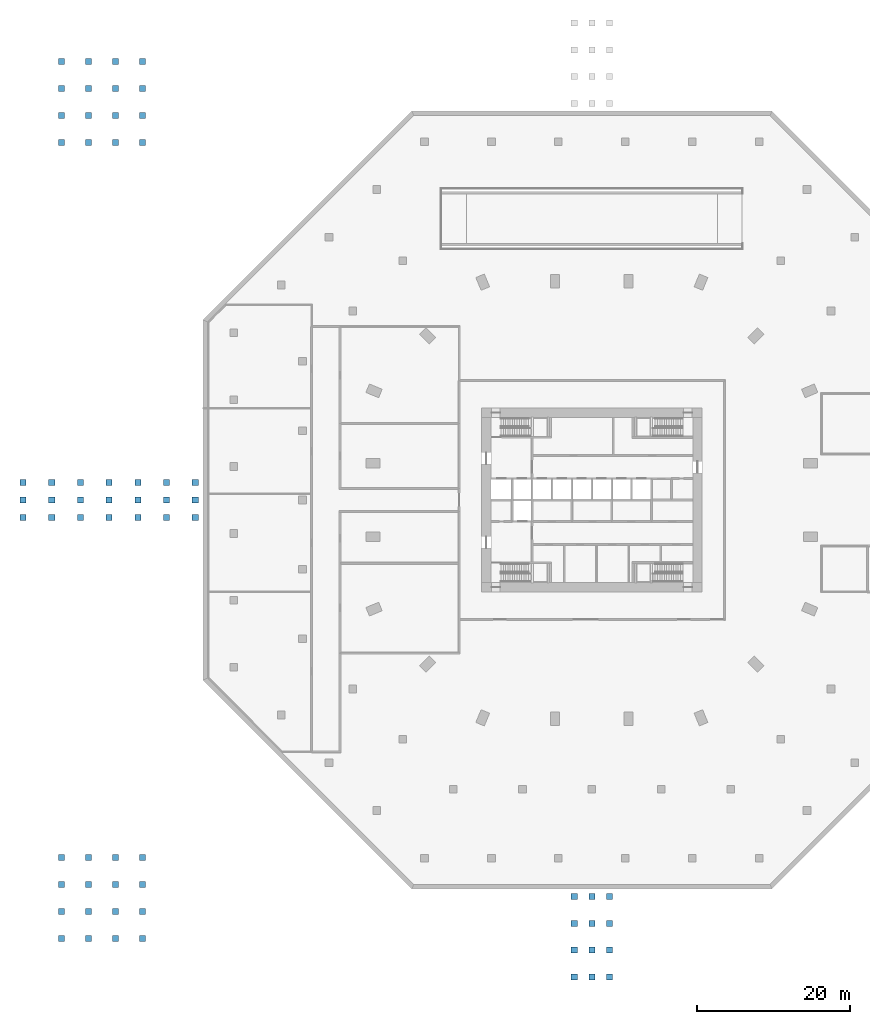
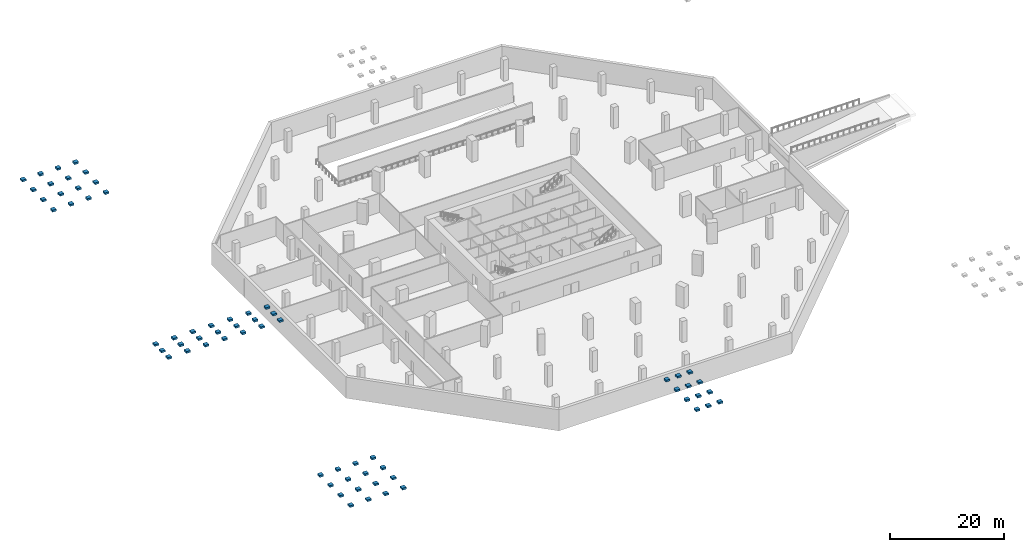
# One storey, part 1 of 11: 65 footings.
"""IFC4 building model written with IfcOpenShell, lengths in metres."""

from ifc_helpers import new_model, si_unit, direction, frame, origin, place, context, subcontext, project, spatial, polyline, outline, extrude, material, layer, layer_set, type_object, element, save


model = new_model("IFC4")

# Units and contexts
model_context = context("Model", 3, precision=1e-05, world=origin(), true_north=direction((0.0, 1.0)))
body_context = subcontext(model_context, "Body", "Model", "MODEL_VIEW")
ifc_project = project(units=[si_unit("LENGTHUNIT", "METRE"), si_unit("AREAUNIT", "SQUARE_METRE"), si_unit("VOLUMEUNIT", "CUBIC_METRE"), si_unit("PLANEANGLEUNIT", "RADIAN"), si_unit("MASSUNIT", "GRAM", prefix="KILO")], contexts=[model_context])

# Site, building, storey
site_placement = place(None, origin())
site = spatial("IfcSite", under=ifc_project, at=site_placement, CompositionType="ELEMENT")
building_placement = place(site_placement, origin())
building = spatial("IfcBuilding", under=site, at=building_placement, Name="Msitu Wima Residences", CompositionType="ELEMENT")
storey_placement = place(building_placement, frame((0.0, 0.0, -4.5)))
storey = spatial("IfcBuildingStorey", under=building, at=storey_placement, Name="B1", CompositionType="ELEMENT", Elevation=-4.5)

# Footings
ifc_material = material(Name="Concrete C40/50", Category="concrete")
ifc_layer = layer(ifc_material, 0.39990234375)
ifc_layer_set = layer_set([ifc_layer], Name="Concrete C40/50")
footing_type = type_object("IfcFootingType", Name="Paving pad footing PP1", PredefinedType="PAD_FOOTING", material=ifc_layer_set)
footing_1_placement = place(storey_placement, frame((0.0, 0.0, 3.949951171875)))
element("IfcFooting", 1, at=footing_1_placement, inside=storey, type_object=footing_type, Name="Paving pad footing S", PredefinedType="PAD_FOOTING", context=body_context, shape_type="SweptSolid", body=[
    extrude(outline(polyline([(-1.89990234375, -62.699951171875), (-1.89990234375, -61.89990234375), (-2.699951171875, -61.89990234375), (-2.699951171875, -62.699951171875), (-1.89990234375, -62.699951171875)])), origin(), (0.0, 0.0, 1.0), 0.400146484375),
])
footing_2_placement = place(storey_placement, frame((0.0, 0.0, 3.949951171875)))
element("IfcFooting", 2, at=footing_2_placement, inside=storey, type_object=footing_type, Name="Paving pad footing S", PredefinedType="PAD_FOOTING", context=body_context, shape_type="SweptSolid", body=[
    extrude(outline(polyline([(0.39990234375, -62.699951171875), (0.39990234375, -61.89990234375), (-0.39990234375, -61.89990234375), (-0.39990234375, -62.699951171875), (0.39990234375, -62.699951171875)])), origin(), (0.0, 0.0, 1.0), 0.400146484375),
])
footing_3_placement = place(storey_placement, frame((0.0, 0.0, 3.949951171875)))
element("IfcFooting", 3, at=footing_3_placement, inside=storey, type_object=footing_type, Name="Paving pad footing S", PredefinedType="PAD_FOOTING", context=body_context, shape_type="SweptSolid", body=[
    extrude(outline(polyline([(2.699951171875, -62.699951171875), (2.699951171875, -61.89990234375), (1.89990234375, -61.89990234375), (1.89990234375, -62.699951171875), (2.699951171875, -62.699951171875)])), origin(), (0.0, 0.0, 1.0), 0.400146484375),
])
footing_4_placement = place(storey_placement, frame((0.0, 0.0, 3.949951171875)))
element("IfcFooting", 4, at=footing_4_placement, inside=storey, type_object=footing_type, Name="Paving pad footing S", PredefinedType="PAD_FOOTING", context=body_context, shape_type="SweptSolid", body=[
    extrude(outline(polyline([(-1.89990234375, -59.199951171875), (-1.89990234375, -58.39990234375), (-2.699951171875, -58.39990234375), (-2.699951171875, -59.199951171875), (-1.89990234375, -59.199951171875)])), origin(), (0.0, 0.0, 1.0), 0.400146484375),
])
footing_5_placement = place(storey_placement, frame((0.0, 0.0, 3.949951171875)))
element("IfcFooting", 5, at=footing_5_placement, inside=storey, type_object=footing_type, Name="Paving pad footing S", PredefinedType="PAD_FOOTING", context=body_context, shape_type="SweptSolid", body=[
    extrude(outline(polyline([(0.39990234375, -59.199951171875), (0.39990234375, -58.39990234375), (-0.39990234375, -58.39990234375), (-0.39990234375, -59.199951171875), (0.39990234375, -59.199951171875)])), origin(), (0.0, 0.0, 1.0), 0.400146484375),
])
footing_6_placement = place(storey_placement, frame((0.0, 0.0, 3.949951171875)))
element("IfcFooting", 6, at=footing_6_placement, inside=storey, type_object=footing_type, Name="Paving pad footing S", PredefinedType="PAD_FOOTING", context=body_context, shape_type="SweptSolid", body=[
    extrude(outline(polyline([(2.699951171875, -59.199951171875), (2.699951171875, -58.39990234375), (1.89990234375, -58.39990234375), (1.89990234375, -59.199951171875), (2.699951171875, -59.199951171875)])), origin(), (0.0, 0.0, 1.0), 0.400146484375),
])
footing_7_placement = place(storey_placement, frame((0.0, 0.0, 3.949951171875)))
element("IfcFooting", 7, at=footing_7_placement, inside=storey, type_object=footing_type, Name="Paving pad footing S", PredefinedType="PAD_FOOTING", context=body_context, shape_type="SweptSolid", body=[
    extrude(outline(polyline([(-1.89990234375, -55.699951171875), (-1.89990234375, -54.89990234375), (-2.699951171875, -54.89990234375), (-2.699951171875, -55.699951171875), (-1.89990234375, -55.699951171875)])), origin(), (0.0, 0.0, 1.0), 0.400146484375),
])
footing_8_placement = place(storey_placement, frame((0.0, 0.0, 3.949951171875)))
element("IfcFooting", 8, at=footing_8_placement, inside=storey, type_object=footing_type, Name="Paving pad footing S", PredefinedType="PAD_FOOTING", context=body_context, shape_type="SweptSolid", body=[
    extrude(outline(polyline([(0.39990234375, -55.699951171875), (0.39990234375, -54.89990234375), (-0.39990234375, -54.89990234375), (-0.39990234375, -55.699951171875), (0.39990234375, -55.699951171875)])), origin(), (0.0, 0.0, 1.0), 0.400146484375),
])
footing_9_placement = place(storey_placement, frame((0.0, 0.0, 3.949951171875)))
element("IfcFooting", 9, at=footing_9_placement, inside=storey, type_object=footing_type, Name="Paving pad footing S", PredefinedType="PAD_FOOTING", context=body_context, shape_type="SweptSolid", body=[
    extrude(outline(polyline([(2.699951171875, -55.699951171875), (2.699951171875, -54.89990234375), (1.89990234375, -54.89990234375), (1.89990234375, -55.699951171875), (2.699951171875, -55.699951171875)])), origin(), (0.0, 0.0, 1.0), 0.400146484375),
])
footing_10_placement = place(storey_placement, frame((0.0, 0.0, 3.949951171875)))
element("IfcFooting", 10, at=footing_10_placement, inside=storey, type_object=footing_type, Name="Paving pad footing S", PredefinedType="PAD_FOOTING", context=body_context, shape_type="SweptSolid", body=[
    extrude(outline(polyline([(-1.89990234375, -52.199951171875), (-1.89990234375, -51.39990234375), (-2.699951171875, -51.39990234375), (-2.699951171875, -52.199951171875), (-1.89990234375, -52.199951171875)])), origin(), (0.0, 0.0, 1.0), 0.400146484375),
])
footing_11_placement = place(storey_placement, frame((0.0, 0.0, 3.949951171875)))
element("IfcFooting", 11, at=footing_11_placement, inside=storey, type_object=footing_type, Name="Paving pad footing S", PredefinedType="PAD_FOOTING", context=body_context, shape_type="SweptSolid", body=[
    extrude(outline(polyline([(0.39990234375, -52.199951171875), (0.39990234375, -51.39990234375), (-0.39990234375, -51.39990234375), (-0.39990234375, -52.199951171875), (0.39990234375, -52.199951171875)])), origin(), (0.0, 0.0, 1.0), 0.400146484375),
])
footing_12_placement = place(storey_placement, frame((0.0, 0.0, 3.949951171875)))
element("IfcFooting", 12, at=footing_12_placement, inside=storey, type_object=footing_type, Name="Paving pad footing S", PredefinedType="PAD_FOOTING", context=body_context, shape_type="SweptSolid", body=[
    extrude(outline(polyline([(2.699951171875, -52.199951171875), (2.699951171875, -51.39990234375), (1.89990234375, -51.39990234375), (1.89990234375, -52.199951171875), (2.699951171875, -52.199951171875)])), origin(), (0.0, 0.0, 1.0), 0.400146484375),
])
footing_13_placement = place(storey_placement, frame((0.0, 0.0, 3.949951171875)))
element("IfcFooting", 13, at=footing_13_placement, inside=storey, type_object=footing_type, Name="Paving pad footing W", PredefinedType="PAD_FOOTING", context=body_context, shape_type="SweptSolid", body=[
    extrude(outline(polyline([(-73.89990234375, -2.699951171875), (-73.89990234375, -1.89990234375), (-74.699951171875, -1.89990234375), (-74.699951171875, -2.699951171875), (-73.89990234375, -2.699951171875)])), origin(), (0.0, 0.0, 1.0), 0.400146484375),
])
footing_14_placement = place(storey_placement, frame((0.0, 0.0, 3.949951171875)))
element("IfcFooting", 14, at=footing_14_placement, inside=storey, type_object=footing_type, Name="Paving pad footing W", PredefinedType="PAD_FOOTING", context=body_context, shape_type="SweptSolid", body=[
    extrude(outline(polyline([(-70.14990234375, -2.699951171875), (-70.14990234375, -1.89990234375), (-70.949951171875, -1.89990234375), (-70.949951171875, -2.699951171875), (-70.14990234375, -2.699951171875)])), origin(), (0.0, 0.0, 1.0), 0.400146484375),
])
footing_15_placement = place(storey_placement, frame((0.0, 0.0, 3.949951171875)))
element("IfcFooting", 15, at=footing_15_placement, inside=storey, type_object=footing_type, Name="Paving pad footing W", PredefinedType="PAD_FOOTING", context=body_context, shape_type="SweptSolid", body=[
    extrude(outline(polyline([(-66.39990234375, -2.699951171875), (-66.39990234375, -1.89990234375), (-67.199951171875, -1.89990234375), (-67.199951171875, -2.699951171875), (-66.39990234375, -2.699951171875)])), origin(), (0.0, 0.0, 1.0), 0.400146484375),
])
footing_16_placement = place(storey_placement, frame((0.0, 0.0, 3.949951171875)))
element("IfcFooting", 16, at=footing_16_placement, inside=storey, type_object=footing_type, Name="Paving pad footing W", PredefinedType="PAD_FOOTING", context=body_context, shape_type="SweptSolid", body=[
    extrude(outline(polyline([(-62.64990234375, -2.699951171875), (-62.64990234375, -1.89990234375), (-63.449951171875, -1.89990234375), (-63.449951171875, -2.699951171875), (-62.64990234375, -2.699951171875)])), origin(), (0.0, 0.0, 1.0), 0.400146484375),
])
footing_17_placement = place(storey_placement, frame((0.0, 0.0, 3.949951171875)))
element("IfcFooting", 17, at=footing_17_placement, inside=storey, type_object=footing_type, Name="Paving pad footing W", PredefinedType="PAD_FOOTING", context=body_context, shape_type="SweptSolid", body=[
    extrude(outline(polyline([(-58.89990234375, -2.699951171875), (-58.89990234375, -1.89990234375), (-59.699951171875, -1.89990234375), (-59.699951171875, -2.699951171875), (-58.89990234375, -2.699951171875)])), origin(), (0.0, 0.0, 1.0), 0.400146484375),
])
footing_18_placement = place(storey_placement, frame((0.0, 0.0, 3.949951171875)))
element("IfcFooting", 18, at=footing_18_placement, inside=storey, type_object=footing_type, Name="Paving pad footing W", PredefinedType="PAD_FOOTING", context=body_context, shape_type="SweptSolid", body=[
    extrude(outline(polyline([(-55.14990234375, -2.699951171875), (-55.14990234375, -1.89990234375), (-55.949951171875, -1.89990234375), (-55.949951171875, -2.699951171875), (-55.14990234375, -2.699951171875)])), origin(), (0.0, 0.0, 1.0), 0.400146484375),
])
footing_19_placement = place(storey_placement, frame((0.0, 0.0, 3.949951171875)))
element("IfcFooting", 19, at=footing_19_placement, inside=storey, type_object=footing_type, Name="Paving pad footing W", PredefinedType="PAD_FOOTING", context=body_context, shape_type="SweptSolid", body=[
    extrude(outline(polyline([(-51.39990234375, -2.699951171875), (-51.39990234375, -1.89990234375), (-52.199951171875, -1.89990234375), (-52.199951171875, -2.699951171875), (-51.39990234375, -2.699951171875)])), origin(), (0.0, 0.0, 1.0), 0.400146484375),
])
footing_20_placement = place(storey_placement, frame((0.0, 0.0, 3.949951171875)))
element("IfcFooting", 20, at=footing_20_placement, inside=storey, type_object=footing_type, Name="Paving pad footing W", PredefinedType="PAD_FOOTING", context=body_context, shape_type="SweptSolid", body=[
    extrude(outline(polyline([(-73.89990234375, -0.39990234375), (-73.89990234375, 0.39990234375), (-74.699951171875, 0.39990234375), (-74.699951171875, -0.39990234375), (-73.89990234375, -0.39990234375)])), origin(), (0.0, 0.0, 1.0), 0.400146484375),
])
footing_21_placement = place(storey_placement, frame((0.0, 0.0, 3.949951171875)))
element("IfcFooting", 21, at=footing_21_placement, inside=storey, type_object=footing_type, Name="Paving pad footing W", PredefinedType="PAD_FOOTING", context=body_context, shape_type="SweptSolid", body=[
    extrude(outline(polyline([(-70.14990234375, -0.39990234375), (-70.14990234375, 0.39990234375), (-70.949951171875, 0.39990234375), (-70.949951171875, -0.39990234375), (-70.14990234375, -0.39990234375)])), origin(), (0.0, 0.0, 1.0), 0.400146484375),
])
footing_22_placement = place(storey_placement, frame((0.0, 0.0, 3.949951171875)))
element("IfcFooting", 22, at=footing_22_placement, inside=storey, type_object=footing_type, Name="Paving pad footing W", PredefinedType="PAD_FOOTING", context=body_context, shape_type="SweptSolid", body=[
    extrude(outline(polyline([(-66.39990234375, -0.39990234375), (-66.39990234375, 0.39990234375), (-67.199951171875, 0.39990234375), (-67.199951171875, -0.39990234375), (-66.39990234375, -0.39990234375)])), origin(), (0.0, 0.0, 1.0), 0.400146484375),
])
footing_23_placement = place(storey_placement, frame((0.0, 0.0, 3.949951171875)))
element("IfcFooting", 23, at=footing_23_placement, inside=storey, type_object=footing_type, Name="Paving pad footing W", PredefinedType="PAD_FOOTING", context=body_context, shape_type="SweptSolid", body=[
    extrude(outline(polyline([(-62.64990234375, -0.39990234375), (-62.64990234375, 0.39990234375), (-63.449951171875, 0.39990234375), (-63.449951171875, -0.39990234375), (-62.64990234375, -0.39990234375)])), origin(), (0.0, 0.0, 1.0), 0.400146484375),
])
footing_24_placement = place(storey_placement, frame((0.0, 0.0, 3.949951171875)))
element("IfcFooting", 24, at=footing_24_placement, inside=storey, type_object=footing_type, Name="Paving pad footing W", PredefinedType="PAD_FOOTING", context=body_context, shape_type="SweptSolid", body=[
    extrude(outline(polyline([(-58.89990234375, -0.39990234375), (-58.89990234375, 0.39990234375), (-59.699951171875, 0.39990234375), (-59.699951171875, -0.39990234375), (-58.89990234375, -0.39990234375)])), origin(), (0.0, 0.0, 1.0), 0.400146484375),
])
footing_25_placement = place(storey_placement, frame((0.0, 0.0, 3.949951171875)))
element("IfcFooting", 25, at=footing_25_placement, inside=storey, type_object=footing_type, Name="Paving pad footing W", PredefinedType="PAD_FOOTING", context=body_context, shape_type="SweptSolid", body=[
    extrude(outline(polyline([(-55.14990234375, -0.39990234375), (-55.14990234375, 0.39990234375), (-55.949951171875, 0.39990234375), (-55.949951171875, -0.39990234375), (-55.14990234375, -0.39990234375)])), origin(), (0.0, 0.0, 1.0), 0.400146484375),
])
footing_26_placement = place(storey_placement, frame((0.0, 0.0, 3.949951171875)))
element("IfcFooting", 26, at=footing_26_placement, inside=storey, type_object=footing_type, Name="Paving pad footing W", PredefinedType="PAD_FOOTING", context=body_context, shape_type="SweptSolid", body=[
    extrude(outline(polyline([(-51.39990234375, -0.39990234375), (-51.39990234375, 0.39990234375), (-52.199951171875, 0.39990234375), (-52.199951171875, -0.39990234375), (-51.39990234375, -0.39990234375)])), origin(), (0.0, 0.0, 1.0), 0.400146484375),
])
footing_27_placement = place(storey_placement, frame((0.0, 0.0, 3.949951171875)))
element("IfcFooting", 27, at=footing_27_placement, inside=storey, type_object=footing_type, Name="Paving pad footing W", PredefinedType="PAD_FOOTING", context=body_context, shape_type="SweptSolid", body=[
    extrude(outline(polyline([(-73.89990234375, 1.89990234375), (-73.89990234375, 2.699951171875), (-74.699951171875, 2.699951171875), (-74.699951171875, 1.89990234375), (-73.89990234375, 1.89990234375)])), origin(), (0.0, 0.0, 1.0), 0.400146484375),
])
footing_28_placement = place(storey_placement, frame((0.0, 0.0, 3.949951171875)))
element("IfcFooting", 28, at=footing_28_placement, inside=storey, type_object=footing_type, Name="Paving pad footing W", PredefinedType="PAD_FOOTING", context=body_context, shape_type="SweptSolid", body=[
    extrude(outline(polyline([(-70.14990234375, 1.89990234375), (-70.14990234375, 2.699951171875), (-70.949951171875, 2.699951171875), (-70.949951171875, 1.89990234375), (-70.14990234375, 1.89990234375)])), origin(), (0.0, 0.0, 1.0), 0.400146484375),
])
footing_29_placement = place(storey_placement, frame((0.0, 0.0, 3.949951171875)))
element("IfcFooting", 29, at=footing_29_placement, inside=storey, type_object=footing_type, Name="Paving pad footing W", PredefinedType="PAD_FOOTING", context=body_context, shape_type="SweptSolid", body=[
    extrude(outline(polyline([(-66.39990234375, 1.89990234375), (-66.39990234375, 2.699951171875), (-67.199951171875, 2.699951171875), (-67.199951171875, 1.89990234375), (-66.39990234375, 1.89990234375)])), origin(), (0.0, 0.0, 1.0), 0.400146484375),
])
footing_30_placement = place(storey_placement, frame((0.0, 0.0, 3.949951171875)))
element("IfcFooting", 30, at=footing_30_placement, inside=storey, type_object=footing_type, Name="Paving pad footing W", PredefinedType="PAD_FOOTING", context=body_context, shape_type="SweptSolid", body=[
    extrude(outline(polyline([(-62.64990234375, 1.89990234375), (-62.64990234375, 2.699951171875), (-63.449951171875, 2.699951171875), (-63.449951171875, 1.89990234375), (-62.64990234375, 1.89990234375)])), origin(), (0.0, 0.0, 1.0), 0.400146484375),
])
footing_31_placement = place(storey_placement, frame((0.0, 0.0, 3.949951171875)))
element("IfcFooting", 31, at=footing_31_placement, inside=storey, type_object=footing_type, Name="Paving pad footing W", PredefinedType="PAD_FOOTING", context=body_context, shape_type="SweptSolid", body=[
    extrude(outline(polyline([(-58.89990234375, 1.89990234375), (-58.89990234375, 2.699951171875), (-59.699951171875, 2.699951171875), (-59.699951171875, 1.89990234375), (-58.89990234375, 1.89990234375)])), origin(), (0.0, 0.0, 1.0), 0.400146484375),
])
footing_32_placement = place(storey_placement, frame((0.0, 0.0, 3.949951171875)))
element("IfcFooting", 32, at=footing_32_placement, inside=storey, type_object=footing_type, Name="Paving pad footing W", PredefinedType="PAD_FOOTING", context=body_context, shape_type="SweptSolid", body=[
    extrude(outline(polyline([(-55.14990234375, 1.89990234375), (-55.14990234375, 2.699951171875), (-55.949951171875, 2.699951171875), (-55.949951171875, 1.89990234375), (-55.14990234375, 1.89990234375)])), origin(), (0.0, 0.0, 1.0), 0.400146484375),
])
footing_33_placement = place(storey_placement, frame((0.0, 0.0, 3.949951171875)))
element("IfcFooting", 33, at=footing_33_placement, inside=storey, type_object=footing_type, Name="Paving pad footing W", PredefinedType="PAD_FOOTING", context=body_context, shape_type="SweptSolid", body=[
    extrude(outline(polyline([(-51.39990234375, 1.89990234375), (-51.39990234375, 2.699951171875), (-52.199951171875, 2.699951171875), (-52.199951171875, 1.89990234375), (-51.39990234375, 1.89990234375)])), origin(), (0.0, 0.0, 1.0), 0.400146484375),
])
footing_34_placement = place(storey_placement, frame((0.0, 0.0, 3.949951171875)))
element("IfcFooting", 34, at=footing_34_placement, inside=storey, type_object=footing_type, Name="Paving pad footing NW", PredefinedType="PAD_FOOTING", context=body_context, shape_type="SweptSolid", body=[
    extrude(outline(polyline([(-68.89990234375, 46.300048828125), (-68.89990234375, 47.10009765625), (-69.699951171875, 47.10009765625), (-69.699951171875, 46.300048828125), (-68.89990234375, 46.300048828125)])), origin(), (0.0, 0.0, 1.0), 0.400146484375),
])
footing_35_placement = place(storey_placement, frame((0.0, 0.0, 3.949951171875)))
element("IfcFooting", 35, at=footing_35_placement, inside=storey, type_object=footing_type, Name="Paving pad footing NW", PredefinedType="PAD_FOOTING", context=body_context, shape_type="SweptSolid", body=[
    extrude(outline(polyline([(-65.36669921875, 46.300048828125), (-65.36669921875, 47.10009765625), (-66.166748046875, 47.10009765625), (-66.166748046875, 46.300048828125), (-65.36669921875, 46.300048828125)])), origin(), (0.0, 0.0, 1.0), 0.400146484375),
])
footing_36_placement = place(storey_placement, frame((0.0, 0.0, 3.949951171875)))
element("IfcFooting", 36, at=footing_36_placement, inside=storey, type_object=footing_type, Name="Paving pad footing NW", PredefinedType="PAD_FOOTING", context=body_context, shape_type="SweptSolid", body=[
    extrude(outline(polyline([(-61.833251953125, 46.300048828125), (-61.833251953125, 47.10009765625), (-62.63330078125, 47.10009765625), (-62.63330078125, 46.300048828125), (-61.833251953125, 46.300048828125)])), origin(), (0.0, 0.0, 1.0), 0.400146484375),
])
footing_37_placement = place(storey_placement, frame((0.0, 0.0, 3.949951171875)))
element("IfcFooting", 37, at=footing_37_placement, inside=storey, type_object=footing_type, Name="Paving pad footing NW", PredefinedType="PAD_FOOTING", context=body_context, shape_type="SweptSolid", body=[
    extrude(outline(polyline([(-58.300048828125, 46.300048828125), (-58.300048828125, 47.10009765625), (-59.10009765625, 47.10009765625), (-59.10009765625, 46.300048828125), (-58.300048828125, 46.300048828125)])), origin(), (0.0, 0.0, 1.0), 0.400146484375),
])
footing_38_placement = place(storey_placement, frame((0.0, 0.0, 3.949951171875)))
element("IfcFooting", 38, at=footing_38_placement, inside=storey, type_object=footing_type, Name="Paving pad footing NW", PredefinedType="PAD_FOOTING", context=body_context, shape_type="SweptSolid", body=[
    extrude(outline(polyline([(-68.89990234375, 49.833251953125), (-68.89990234375, 50.63330078125), (-69.699951171875, 50.63330078125), (-69.699951171875, 49.833251953125), (-68.89990234375, 49.833251953125)])), origin(), (0.0, 0.0, 1.0), 0.400146484375),
])
footing_39_placement = place(storey_placement, frame((0.0, 0.0, 3.949951171875)))
element("IfcFooting", 39, at=footing_39_placement, inside=storey, type_object=footing_type, Name="Paving pad footing NW", PredefinedType="PAD_FOOTING", context=body_context, shape_type="SweptSolid", body=[
    extrude(outline(polyline([(-65.36669921875, 49.833251953125), (-65.36669921875, 50.63330078125), (-66.166748046875, 50.63330078125), (-66.166748046875, 49.833251953125), (-65.36669921875, 49.833251953125)])), origin(), (0.0, 0.0, 1.0), 0.400146484375),
])
footing_40_placement = place(storey_placement, frame((0.0, 0.0, 3.949951171875)))
element("IfcFooting", 40, at=footing_40_placement, inside=storey, type_object=footing_type, Name="Paving pad footing NW", PredefinedType="PAD_FOOTING", context=body_context, shape_type="SweptSolid", body=[
    extrude(outline(polyline([(-61.833251953125, 49.833251953125), (-61.833251953125, 50.63330078125), (-62.63330078125, 50.63330078125), (-62.63330078125, 49.833251953125), (-61.833251953125, 49.833251953125)])), origin(), (0.0, 0.0, 1.0), 0.400146484375),
])
footing_41_placement = place(storey_placement, frame((0.0, 0.0, 3.949951171875)))
element("IfcFooting", 41, at=footing_41_placement, inside=storey, type_object=footing_type, Name="Paving pad footing NW", PredefinedType="PAD_FOOTING", context=body_context, shape_type="SweptSolid", body=[
    extrude(outline(polyline([(-58.300048828125, 49.833251953125), (-58.300048828125, 50.63330078125), (-59.10009765625, 50.63330078125), (-59.10009765625, 49.833251953125), (-58.300048828125, 49.833251953125)])), origin(), (0.0, 0.0, 1.0), 0.400146484375),
])
footing_42_placement = place(storey_placement, frame((0.0, 0.0, 3.949951171875)))
element("IfcFooting", 42, at=footing_42_placement, inside=storey, type_object=footing_type, Name="Paving pad footing NW", PredefinedType="PAD_FOOTING", context=body_context, shape_type="SweptSolid", body=[
    extrude(outline(polyline([(-68.89990234375, 53.36669921875), (-68.89990234375, 54.166748046875), (-69.699951171875, 54.166748046875), (-69.699951171875, 53.36669921875), (-68.89990234375, 53.36669921875)])), origin(), (0.0, 0.0, 1.0), 0.400146484375),
])
footing_43_placement = place(storey_placement, frame((0.0, 0.0, 3.949951171875)))
element("IfcFooting", 43, at=footing_43_placement, inside=storey, type_object=footing_type, Name="Paving pad footing NW", PredefinedType="PAD_FOOTING", context=body_context, shape_type="SweptSolid", body=[
    extrude(outline(polyline([(-65.36669921875, 53.36669921875), (-65.36669921875, 54.166748046875), (-66.166748046875, 54.166748046875), (-66.166748046875, 53.36669921875), (-65.36669921875, 53.36669921875)])), origin(), (0.0, 0.0, 1.0), 0.400146484375),
])
footing_44_placement = place(storey_placement, frame((0.0, 0.0, 3.949951171875)))
element("IfcFooting", 44, at=footing_44_placement, inside=storey, type_object=footing_type, Name="Paving pad footing NW", PredefinedType="PAD_FOOTING", context=body_context, shape_type="SweptSolid", body=[
    extrude(outline(polyline([(-61.833251953125, 53.36669921875), (-61.833251953125, 54.166748046875), (-62.63330078125, 54.166748046875), (-62.63330078125, 53.36669921875), (-61.833251953125, 53.36669921875)])), origin(), (0.0, 0.0, 1.0), 0.400146484375),
])
footing_45_placement = place(storey_placement, frame((0.0, 0.0, 3.949951171875)))
element("IfcFooting", 45, at=footing_45_placement, inside=storey, type_object=footing_type, Name="Paving pad footing NW", PredefinedType="PAD_FOOTING", context=body_context, shape_type="SweptSolid", body=[
    extrude(outline(polyline([(-58.300048828125, 53.36669921875), (-58.300048828125, 54.166748046875), (-59.10009765625, 54.166748046875), (-59.10009765625, 53.36669921875), (-58.300048828125, 53.36669921875)])), origin(), (0.0, 0.0, 1.0), 0.400146484375),
])
footing_46_placement = place(storey_placement, frame((0.0, 0.0, 3.949951171875)))
element("IfcFooting", 46, at=footing_46_placement, inside=storey, type_object=footing_type, Name="Paving pad footing NW", PredefinedType="PAD_FOOTING", context=body_context, shape_type="SweptSolid", body=[
    extrude(outline(polyline([(-68.89990234375, 56.89990234375), (-68.89990234375, 57.699951171875), (-69.699951171875, 57.699951171875), (-69.699951171875, 56.89990234375), (-68.89990234375, 56.89990234375)])), origin(), (0.0, 0.0, 1.0), 0.400146484375),
])
footing_47_placement = place(storey_placement, frame((0.0, 0.0, 3.949951171875)))
element("IfcFooting", 47, at=footing_47_placement, inside=storey, type_object=footing_type, Name="Paving pad footing NW", PredefinedType="PAD_FOOTING", context=body_context, shape_type="SweptSolid", body=[
    extrude(outline(polyline([(-65.36669921875, 56.89990234375), (-65.36669921875, 57.699951171875), (-66.166748046875, 57.699951171875), (-66.166748046875, 56.89990234375), (-65.36669921875, 56.89990234375)])), origin(), (0.0, 0.0, 1.0), 0.400146484375),
])
footing_48_placement = place(storey_placement, frame((0.0, 0.0, 3.949951171875)))
element("IfcFooting", 48, at=footing_48_placement, inside=storey, type_object=footing_type, Name="Paving pad footing NW", PredefinedType="PAD_FOOTING", context=body_context, shape_type="SweptSolid", body=[
    extrude(outline(polyline([(-61.833251953125, 56.89990234375), (-61.833251953125, 57.699951171875), (-62.63330078125, 57.699951171875), (-62.63330078125, 56.89990234375), (-61.833251953125, 56.89990234375)])), origin(), (0.0, 0.0, 1.0), 0.400146484375),
])
footing_49_placement = place(storey_placement, frame((0.0, 0.0, 3.949951171875)))
element("IfcFooting", 49, at=footing_49_placement, inside=storey, type_object=footing_type, Name="Paving pad footing NW", PredefinedType="PAD_FOOTING", context=body_context, shape_type="SweptSolid", body=[
    extrude(outline(polyline([(-58.300048828125, 56.89990234375), (-58.300048828125, 57.699951171875), (-59.10009765625, 57.699951171875), (-59.10009765625, 56.89990234375), (-58.300048828125, 56.89990234375)])), origin(), (0.0, 0.0, 1.0), 0.400146484375),
])
footing_50_placement = place(storey_placement, frame((0.0, 0.0, 3.949951171875)))
element("IfcFooting", 50, at=footing_50_placement, inside=storey, type_object=footing_type, Name="Paving pad footing SW", PredefinedType="PAD_FOOTING", context=body_context, shape_type="SweptSolid", body=[
    extrude(outline(polyline([(-68.89990234375, -57.699951171875), (-68.89990234375, -56.89990234375), (-69.699951171875, -56.89990234375), (-69.699951171875, -57.699951171875), (-68.89990234375, -57.699951171875)])), origin(), (0.0, 0.0, 1.0), 0.400146484375),
])
footing_51_placement = place(storey_placement, frame((0.0, 0.0, 3.949951171875)))
element("IfcFooting", 51, at=footing_51_placement, inside=storey, type_object=footing_type, Name="Paving pad footing SW", PredefinedType="PAD_FOOTING", context=body_context, shape_type="SweptSolid", body=[
    extrude(outline(polyline([(-65.36669921875, -57.699951171875), (-65.36669921875, -56.89990234375), (-66.166748046875, -56.89990234375), (-66.166748046875, -57.699951171875), (-65.36669921875, -57.699951171875)])), origin(), (0.0, 0.0, 1.0), 0.400146484375),
])
footing_52_placement = place(storey_placement, frame((0.0, 0.0, 3.949951171875)))
element("IfcFooting", 52, at=footing_52_placement, inside=storey, type_object=footing_type, Name="Paving pad footing SW", PredefinedType="PAD_FOOTING", context=body_context, shape_type="SweptSolid", body=[
    extrude(outline(polyline([(-61.833251953125, -57.699951171875), (-61.833251953125, -56.89990234375), (-62.63330078125, -56.89990234375), (-62.63330078125, -57.699951171875), (-61.833251953125, -57.699951171875)])), origin(), (0.0, 0.0, 1.0), 0.400146484375),
])
footing_53_placement = place(storey_placement, frame((0.0, 0.0, 3.949951171875)))
element("IfcFooting", 53, at=footing_53_placement, inside=storey, type_object=footing_type, Name="Paving pad footing SW", PredefinedType="PAD_FOOTING", context=body_context, shape_type="SweptSolid", body=[
    extrude(outline(polyline([(-58.300048828125, -57.699951171875), (-58.300048828125, -56.89990234375), (-59.10009765625, -56.89990234375), (-59.10009765625, -57.699951171875), (-58.300048828125, -57.699951171875)])), origin(), (0.0, 0.0, 1.0), 0.400146484375),
])
footing_54_placement = place(storey_placement, frame((0.0, 0.0, 3.949951171875)))
element("IfcFooting", 54, at=footing_54_placement, inside=storey, type_object=footing_type, Name="Paving pad footing SW", PredefinedType="PAD_FOOTING", context=body_context, shape_type="SweptSolid", body=[
    extrude(outline(polyline([(-68.89990234375, -54.166748046875), (-68.89990234375, -53.36669921875), (-69.699951171875, -53.36669921875), (-69.699951171875, -54.166748046875), (-68.89990234375, -54.166748046875)])), origin(), (0.0, 0.0, 1.0), 0.400146484375),
])
footing_55_placement = place(storey_placement, frame((0.0, 0.0, 3.949951171875)))
element("IfcFooting", 55, at=footing_55_placement, inside=storey, type_object=footing_type, Name="Paving pad footing SW", PredefinedType="PAD_FOOTING", context=body_context, shape_type="SweptSolid", body=[
    extrude(outline(polyline([(-65.36669921875, -54.166748046875), (-65.36669921875, -53.36669921875), (-66.166748046875, -53.36669921875), (-66.166748046875, -54.166748046875), (-65.36669921875, -54.166748046875)])), origin(), (0.0, 0.0, 1.0), 0.400146484375),
])
footing_56_placement = place(storey_placement, frame((0.0, 0.0, 3.949951171875)))
element("IfcFooting", 56, at=footing_56_placement, inside=storey, type_object=footing_type, Name="Paving pad footing SW", PredefinedType="PAD_FOOTING", context=body_context, shape_type="SweptSolid", body=[
    extrude(outline(polyline([(-61.833251953125, -54.166748046875), (-61.833251953125, -53.36669921875), (-62.63330078125, -53.36669921875), (-62.63330078125, -54.166748046875), (-61.833251953125, -54.166748046875)])), origin(), (0.0, 0.0, 1.0), 0.400146484375),
])
footing_57_placement = place(storey_placement, frame((0.0, 0.0, 3.949951171875)))
element("IfcFooting", 57, at=footing_57_placement, inside=storey, type_object=footing_type, Name="Paving pad footing SW", PredefinedType="PAD_FOOTING", context=body_context, shape_type="SweptSolid", body=[
    extrude(outline(polyline([(-58.300048828125, -54.166748046875), (-58.300048828125, -53.36669921875), (-59.10009765625, -53.36669921875), (-59.10009765625, -54.166748046875), (-58.300048828125, -54.166748046875)])), origin(), (0.0, 0.0, 1.0), 0.400146484375),
])
footing_58_placement = place(storey_placement, frame((0.0, 0.0, 3.949951171875)))
element("IfcFooting", 58, at=footing_58_placement, inside=storey, type_object=footing_type, Name="Paving pad footing SW", PredefinedType="PAD_FOOTING", context=body_context, shape_type="SweptSolid", body=[
    extrude(outline(polyline([(-68.89990234375, -50.63330078125), (-68.89990234375, -49.833251953125), (-69.699951171875, -49.833251953125), (-69.699951171875, -50.63330078125), (-68.89990234375, -50.63330078125)])), origin(), (0.0, 0.0, 1.0), 0.400146484375),
])
footing_59_placement = place(storey_placement, frame((0.0, 0.0, 3.949951171875)))
element("IfcFooting", 59, at=footing_59_placement, inside=storey, type_object=footing_type, Name="Paving pad footing SW", PredefinedType="PAD_FOOTING", context=body_context, shape_type="SweptSolid", body=[
    extrude(outline(polyline([(-65.36669921875, -50.63330078125), (-65.36669921875, -49.833251953125), (-66.166748046875, -49.833251953125), (-66.166748046875, -50.63330078125), (-65.36669921875, -50.63330078125)])), origin(), (0.0, 0.0, 1.0), 0.400146484375),
])
footing_60_placement = place(storey_placement, frame((0.0, 0.0, 3.949951171875)))
element("IfcFooting", 60, at=footing_60_placement, inside=storey, type_object=footing_type, Name="Paving pad footing SW", PredefinedType="PAD_FOOTING", context=body_context, shape_type="SweptSolid", body=[
    extrude(outline(polyline([(-61.833251953125, -50.63330078125), (-61.833251953125, -49.833251953125), (-62.63330078125, -49.833251953125), (-62.63330078125, -50.63330078125), (-61.833251953125, -50.63330078125)])), origin(), (0.0, 0.0, 1.0), 0.400146484375),
])
footing_61_placement = place(storey_placement, frame((0.0, 0.0, 3.949951171875)))
element("IfcFooting", 61, at=footing_61_placement, inside=storey, type_object=footing_type, Name="Paving pad footing SW", PredefinedType="PAD_FOOTING", context=body_context, shape_type="SweptSolid", body=[
    extrude(outline(polyline([(-58.300048828125, -50.63330078125), (-58.300048828125, -49.833251953125), (-59.10009765625, -49.833251953125), (-59.10009765625, -50.63330078125), (-58.300048828125, -50.63330078125)])), origin(), (0.0, 0.0, 1.0), 0.400146484375),
])
footing_62_placement = place(storey_placement, frame((0.0, 0.0, 3.949951171875)))
element("IfcFooting", 62, at=footing_62_placement, inside=storey, type_object=footing_type, Name="Paving pad footing SW", PredefinedType="PAD_FOOTING", context=body_context, shape_type="SweptSolid", body=[
    extrude(outline(polyline([(-68.89990234375, -47.10009765625), (-68.89990234375, -46.300048828125), (-69.699951171875, -46.300048828125), (-69.699951171875, -47.10009765625), (-68.89990234375, -47.10009765625)])), origin(), (0.0, 0.0, 1.0), 0.400146484375),
])
footing_63_placement = place(storey_placement, frame((0.0, 0.0, 3.949951171875)))
element("IfcFooting", 63, at=footing_63_placement, inside=storey, type_object=footing_type, Name="Paving pad footing SW", PredefinedType="PAD_FOOTING", context=body_context, shape_type="SweptSolid", body=[
    extrude(outline(polyline([(-65.36669921875, -47.10009765625), (-65.36669921875, -46.300048828125), (-66.166748046875, -46.300048828125), (-66.166748046875, -47.10009765625), (-65.36669921875, -47.10009765625)])), origin(), (0.0, 0.0, 1.0), 0.400146484375),
])
footing_64_placement = place(storey_placement, frame((0.0, 0.0, 3.949951171875)))
element("IfcFooting", 64, at=footing_64_placement, inside=storey, type_object=footing_type, Name="Paving pad footing SW", PredefinedType="PAD_FOOTING", context=body_context, shape_type="SweptSolid", body=[
    extrude(outline(polyline([(-61.833251953125, -47.10009765625), (-61.833251953125, -46.300048828125), (-62.63330078125, -46.300048828125), (-62.63330078125, -47.10009765625), (-61.833251953125, -47.10009765625)])), origin(), (0.0, 0.0, 1.0), 0.400146484375),
])
footing_65_placement = place(storey_placement, frame((0.0, 0.0, 3.949951171875)))
element("IfcFooting", 65, at=footing_65_placement, inside=storey, type_object=footing_type, Name="Paving pad footing SW", PredefinedType="PAD_FOOTING", context=body_context, shape_type="SweptSolid", body=[
    extrude(outline(polyline([(-58.300048828125, -47.10009765625), (-58.300048828125, -46.300048828125), (-59.10009765625, -46.300048828125), (-59.10009765625, -47.10009765625), (-58.300048828125, -47.10009765625)])), origin(), (0.0, 0.0, 1.0), 0.400146484375),
])

save(model, "model.ifc")
